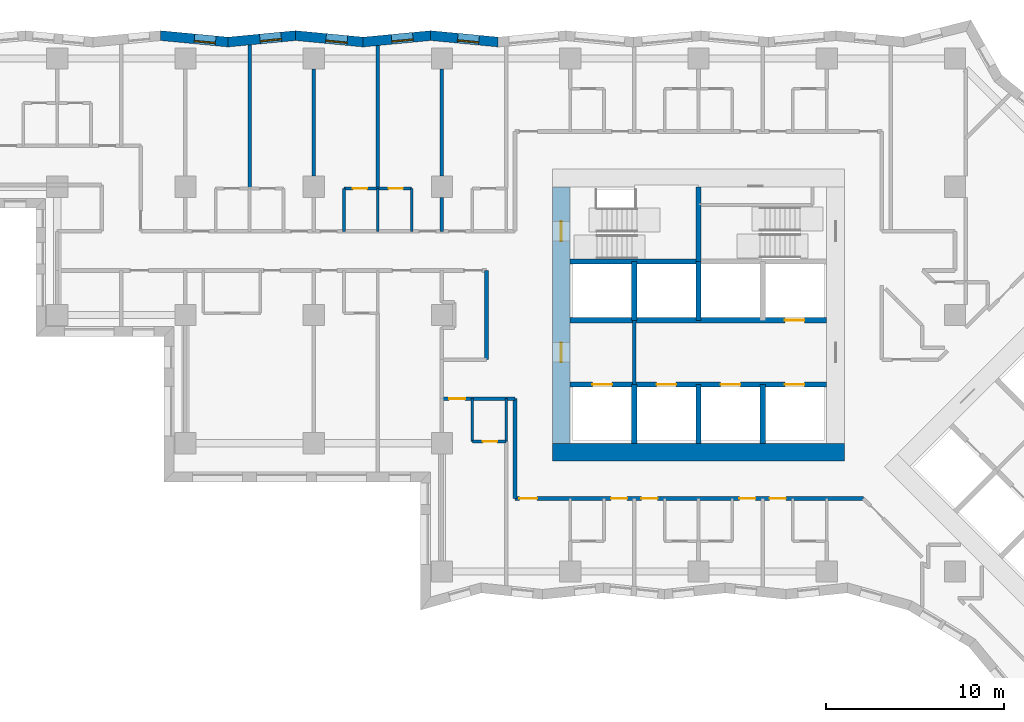
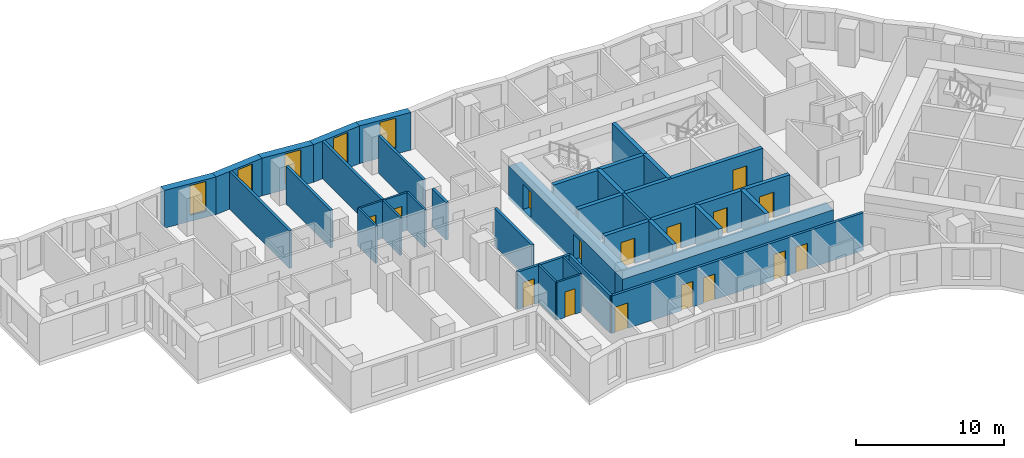
# One storey, part 5 of 13: 33 walls, 16 doors, 5 windows, 21 openings.
"""IFC4 building model written with IfcOpenShell, lengths in metres."""

from ifc_helpers import new_model, si_unit, direction, frame, frame_2d, origin, place, context, subcontext, project, spatial, polyline, rectangle, outline, extrude, material, layer, layer_set, type_object, element, fill, save


model = new_model("IFC4")

# Units and contexts
model_context = context("Model", 3, precision=1e-05, world=origin(), true_north=direction((0.0, 1.0)))
body_context = subcontext(model_context, "Body", "Model", "MODEL_VIEW")
ifc_project = project(units=[si_unit("LENGTHUNIT", "METRE"), si_unit("AREAUNIT", "SQUARE_METRE"), si_unit("VOLUMEUNIT", "CUBIC_METRE"), si_unit("PLANEANGLEUNIT", "RADIAN"), si_unit("MASSUNIT", "GRAM", prefix="KILO")], contexts=[model_context])

# Site, building, storey
site_placement = place(None, origin())
site = spatial("IfcSite", under=ifc_project, at=site_placement, CompositionType="ELEMENT")
building_placement = place(site_placement, origin())
building = spatial("IfcBuilding", under=site, at=building_placement, Name="Windrow Commons", CompositionType="ELEMENT")
storey_placement = place(building_placement, frame((0.0, 0.0, 33.8)))
storey = spatial("IfcBuildingStorey", under=building, at=storey_placement, Name="L08", CompositionType="ELEMENT", Elevation=33.8)

# Wall, opening, window
ifc_material_1 = material(Name="Brick masonry, red clay brick", Category="masonry")
ifc_layer_1 = layer(ifc_material_1, 0.55)
ifc_layer_set_1 = layer_set([ifc_layer_1], Name="Brick facade wall 550")
wall_type_1 = type_object("IfcWallType", Name="Brick facade wall 550", PredefinedType="SOLIDWALL", material=ifc_layer_set_1)
wall_1_placement = place(storey_placement, frame((53.5581, 72.9238, 0.0), z_axis=(0.0, 0.0, 1.0), x_axis=(-0.9954966527, 0.0947967005, 0.0)))
wall_1 = element("IfcWall", 1, at=wall_1_placement, inside=storey, type_object=wall_type_1, Name="Brick facade wall L08 30", PredefinedType="SOLIDWALL", context=body_context, shape_type="SweptSolid", body=[
    extrude(outline(polyline([(0.0262, -0.275), (3.8343, -0.275), (3.782, 0.275), (-0.0262, 0.275), (0.0262, -0.275)])), origin(), (0.0, 0.0, 1.0), 3.1),
])
opening_1_placement = place(wall_1_placement, frame((1.0862, 0.0, 0.5)))
opening_1 = element("IfcOpeningElement", 2, at=opening_1_placement, cuts=wall_1, Name="Opening W7D", PredefinedType="OPENING", context=body_context, shape_type="SweptSolid", body=[
    extrude(rectangle(XDim=1.2, YDim=2.45, at=frame_2d((0.6, 1.225))), frame((0.0, 0.285, 0.0), z_axis=(0.0, -1.0, 0.0), x_axis=(1.0, 0.0, 0.0)), (0.0, 0.0, 1.0), 0.57),
])
ifc_material_2 = material(Name="Clear float glass in anodised aluminium frame", Category="aluminium")
window_type = type_object("IfcWindowType", Name="Window W7 notch 1200x2450", PartitioningType="SINGLE_PANEL", PredefinedType="WINDOW", material=ifc_material_2)
window_1_placement = place(opening_1_placement, origin())
window_1 = element("IfcWindow", 3, at=window_1_placement, inside=storey, type_object=window_type, Name="Window L08 30.1", OverallHeight=2.45, OverallWidth=1.2, PartitioningType="SINGLE_PANEL", PredefinedType="WINDOW", context=body_context, shape_type="SweptSolid", body=[
    extrude(rectangle(XDim=1.2, YDim=2.45, at=frame_2d((0.6, 1.225))), frame((0.0, 0.155, 0.0), z_axis=(0.0, -1.0, 0.0), x_axis=(1.0, 0.0, 0.0)), (0.0, 0.0, 1.0), 0.06),
])
fill(opening_1, window_1)

wall_2_placement = place(storey_placement, frame((49.7671, 73.2848, 0.0), z_axis=(0.0, 0.0, 1.0), x_axis=(-0.9954966527, -0.0947967005, 0.0)))
wall_2 = element("IfcWall", 4, at=wall_2_placement, inside=storey, type_object=wall_type_1, Name="Brick facade wall L08 31", PredefinedType="SOLIDWALL", context=body_context, shape_type="SweptSolid", body=[
    extrude(outline(polyline([(-0.0262, -0.275), (3.782, -0.275), (3.8343, 0.275), (0.0262, 0.275), (-0.0262, -0.275)])), origin(), (0.0, 0.0, 1.0), 3.1),
])
opening_2_placement = place(wall_2_placement, frame((1.0033, 0.0, 0.5)))
opening_2 = element("IfcOpeningElement", 5, at=opening_2_placement, cuts=wall_2, Name="Opening W7D", PredefinedType="OPENING", context=body_context, shape_type="SweptSolid", body=[
    extrude(rectangle(XDim=1.2, YDim=2.45, at=frame_2d((0.6, 1.225))), frame((0.0, 0.285, 0.0), z_axis=(0.0, -1.0, 0.0), x_axis=(1.0, 0.0, 0.0)), (0.0, 0.0, 1.0), 0.57),
])
window_2_placement = place(opening_2_placement, origin())
window_2 = element("IfcWindow", 6, at=window_2_placement, inside=storey, type_object=window_type, Name="Window L08 31.1", OverallHeight=2.45, OverallWidth=1.2, PartitioningType="SINGLE_PANEL", PredefinedType="WINDOW", context=body_context, shape_type="SweptSolid", body=[
    extrude(rectangle(XDim=1.2, YDim=2.45, at=frame_2d((0.6, 1.225))), frame((0.0, 0.155, 0.0), z_axis=(0.0, -1.0, 0.0), x_axis=(1.0, 0.0, 0.0)), (0.0, 0.0, 1.0), 0.06),
])
fill(opening_2, window_2)

wall_3_placement = place(storey_placement, frame((45.9761, 72.9238, 0.0), z_axis=(0.0, 0.0, 1.0), x_axis=(-0.9954966527, 0.0947967005, 0.0)))
wall_3 = element("IfcWall", 7, at=wall_3_placement, inside=storey, type_object=wall_type_1, Name="Brick facade wall L08 32", PredefinedType="SOLIDWALL", context=body_context, shape_type="SweptSolid", body=[
    extrude(outline(polyline([(0.0262, -0.275), (3.8343, -0.275), (3.782, 0.275), (-0.0262, 0.275), (0.0262, -0.275)])), origin(), (0.0, 0.0, 1.0), 3.1),
])
opening_3_placement = place(wall_3_placement, frame((0.8943, 0.0, 0.5)))
opening_3 = element("IfcOpeningElement", 8, at=opening_3_placement, cuts=wall_3, Name="Opening W7D", PredefinedType="OPENING", context=body_context, shape_type="SweptSolid", body=[
    extrude(rectangle(XDim=1.2, YDim=2.45, at=frame_2d((0.6, 1.225))), frame((0.0, 0.285, 0.0), z_axis=(0.0, -1.0, 0.0), x_axis=(1.0, 0.0, 0.0)), (0.0, 0.0, 1.0), 0.57),
])
window_3_placement = place(opening_3_placement, origin())
window_3 = element("IfcWindow", 9, at=window_3_placement, inside=storey, type_object=window_type, Name="Window L08 32.1", OverallHeight=2.45, OverallWidth=1.2, PartitioningType="SINGLE_PANEL", PredefinedType="WINDOW", context=body_context, shape_type="SweptSolid", body=[
    extrude(rectangle(XDim=1.2, YDim=2.45, at=frame_2d((0.6, 1.225))), frame((0.0, 0.155, 0.0), z_axis=(0.0, -1.0, 0.0), x_axis=(1.0, 0.0, 0.0)), (0.0, 0.0, 1.0), 0.06),
])
fill(opening_3, window_3)

wall_4_placement = place(storey_placement, frame((42.1851, 73.2848, 0.0), z_axis=(0.0, 0.0, 1.0), x_axis=(-0.9954968887, -0.0947942225, 0.0)))
wall_4 = element("IfcWall", 10, at=wall_4_placement, inside=storey, type_object=wall_type_1, Name="Brick facade wall L08 33", PredefinedType="SOLIDWALL", context=body_context, shape_type="SweptSolid", body=[
    extrude(outline(polyline([(-0.0262, -0.275), (3.782, -0.275), (3.8343, 0.275), (0.0262, 0.275), (-0.0262, -0.275)])), origin(), (0.0, 0.0, 1.0), 3.1),
])
opening_4_placement = place(wall_4_placement, frame((0.8115, 0.0, 0.5)))
opening_4 = element("IfcOpeningElement", 11, at=opening_4_placement, cuts=wall_4, Name="Opening W7D", PredefinedType="OPENING", context=body_context, shape_type="SweptSolid", body=[
    extrude(rectangle(XDim=1.2, YDim=2.45, at=frame_2d((0.6, 1.225))), frame((0.0, 0.285, 0.0), z_axis=(0.0, -1.0, 0.0), x_axis=(1.0, 0.0, 0.0)), (0.0, 0.0, 1.0), 0.57),
])
window_4_placement = place(opening_4_placement, origin())
window_4 = element("IfcWindow", 12, at=window_4_placement, inside=storey, type_object=window_type, Name="Window L08 33.1", OverallHeight=2.45, OverallWidth=1.2, PartitioningType="SINGLE_PANEL", PredefinedType="WINDOW", context=body_context, shape_type="SweptSolid", body=[
    extrude(rectangle(XDim=1.2, YDim=2.45, at=frame_2d((0.6, 1.225))), frame((0.0, 0.155, 0.0), z_axis=(0.0, -1.0, 0.0), x_axis=(1.0, 0.0, 0.0)), (0.0, 0.0, 1.0), 0.06),
])
fill(opening_4, window_4)

wall_5_placement = place(storey_placement, frame((38.394, 72.9238, 0.0), z_axis=(0.0, 0.0, 1.0), x_axis=(-0.9954966527, 0.0947967005, 0.0)))
wall_5 = element("IfcWall", 13, at=wall_5_placement, inside=storey, type_object=wall_type_1, Name="Brick facade wall L08 34", PredefinedType="SOLIDWALL", context=body_context, shape_type="SweptSolid", body=[
    extrude(outline(polyline([(0.0262, -0.275), (3.8343, -0.275), (3.782, 0.275), (-0.0262, 0.275), (0.0262, -0.275)])), origin(), (0.0, 0.0, 1.0), 3.1),
])
opening_5_placement = place(wall_5_placement, frame((0.7024, 0.0, 0.5)))
opening_5 = element("IfcOpeningElement", 14, at=opening_5_placement, cuts=wall_5, Name="Opening W7D", PredefinedType="OPENING", context=body_context, shape_type="SweptSolid", body=[
    extrude(rectangle(XDim=1.2, YDim=2.45, at=frame_2d((0.6, 1.225))), frame((0.0, 0.285, 0.0), z_axis=(0.0, -1.0, 0.0), x_axis=(1.0, 0.0, 0.0)), (0.0, 0.0, 1.0), 0.57),
])
window_5_placement = place(opening_5_placement, origin())
window_5 = element("IfcWindow", 15, at=window_5_placement, inside=storey, type_object=window_type, Name="Window L08 34.1", OverallHeight=2.45, OverallWidth=1.2, PartitioningType="SINGLE_PANEL", PredefinedType="WINDOW", context=body_context, shape_type="SweptSolid", body=[
    extrude(rectangle(XDim=1.2, YDim=2.45, at=frame_2d((0.6, 1.225))), frame((0.0, 0.155, 0.0), z_axis=(0.0, -1.0, 0.0), x_axis=(1.0, 0.0, 0.0)), (0.0, 0.0, 1.0), 0.06),
])
fill(opening_5, window_5)

# Wall
ifc_material_3 = material(Name="Blockwork partition", Category="masonry")
ifc_layer_2 = layer(ifc_material_3, 0.2)
ifc_layer_set_2 = layer_set([ifc_layer_2], Name="Fire lobby partition 200")
wall_type_2 = type_object("IfcWallType", Name="Fire lobby partition 200", PredefinedType="PARTITIONING", material=ifc_layer_set_2)
wall_6_placement = place(storey_placement, frame((61.2, 53.7, 0.0), z_axis=(0.0, 0.0, 1.0), x_axis=(0.0, 1.0, 0.0)))
element("IfcWall", 16, at=wall_6_placement, inside=storey, type_object=wall_type_2, Name="W-core-lobby-A-L08", PredefinedType="PARTITIONING", context=body_context, shape_type="SweptSolid", body=[
    extrude(rectangle(XDim=3.6, YDim=0.2, at=frame_2d((1.8, 0.0))), origin(), (0.0, 0.0, 1.0), 3.1),
])

# Wall, openings, doors
ifc_material_4 = material(Name="Blockwork partition", Category="masonry")
ifc_layer_3 = layer(ifc_material_4, 0.2)
ifc_layer_set_3 = layer_set([ifc_layer_3], Name="IW-CORRIDOR-200")
wall_type_3 = type_object("IfcWallType", Name="IW-CORRIDOR-200", PredefinedType="PARTITIONING", material=ifc_layer_set_3)
wall_7_placement = place(storey_placement, frame((54.5, 47.3, 0.0), z_axis=(0.0, 0.0, 1.0), x_axis=(1.0, 0.0, 0.0)))
wall_7 = element("IfcWall", 17, at=wall_7_placement, inside=storey, type_object=wall_type_3, Name="W-L08-W003", PredefinedType="PARTITIONING", context=body_context, shape_type="SweptSolid", body=[
    extrude(rectangle(XDim=19.56, YDim=0.2, at=frame_2d((9.78, 0.0))), origin(), (0.0, 0.0, 1.0), 3.1),
])
opening_6_placement = place(wall_7_placement, frame((0.2434, 0.0, 0.0)))
opening_6 = element("IfcOpeningElement", 18, at=opening_6_placement, cuts=wall_7, Name="Opening D310F", PredefinedType="OPENING", context=body_context, shape_type="SweptSolid", body=[
    extrude(rectangle(XDim=1.0, YDim=2.1, at=frame_2d((0.5, 1.05))), frame((0.0, 0.11, 0.0), z_axis=(0.0, -1.0, 0.0), x_axis=(1.0, 0.0, 0.0)), (0.0, 0.0, 1.0), 0.22),
])
opening_7_placement = place(wall_7_placement, frame((5.4, 0.0, 0.0)))
opening_7 = element("IfcOpeningElement", 19, at=opening_7_placement, cuts=wall_7, Name="Opening D109S", PredefinedType="OPENING", context=body_context, shape_type="SweptSolid", body=[
    extrude(rectangle(XDim=0.9, YDim=2.1, at=frame_2d((0.45, 1.05))), frame((0.0, 0.11, 0.0), z_axis=(0.0, -1.0, 0.0), x_axis=(1.0, 0.0, 0.0)), (0.0, 0.0, 1.0), 0.22),
])
opening_8_placement = place(wall_7_placement, frame((7.1, 0.0, 0.0)))
opening_8 = element("IfcOpeningElement", 20, at=opening_8_placement, cuts=wall_7, Name="Opening D109S", PredefinedType="OPENING", context=body_context, shape_type="SweptSolid", body=[
    extrude(rectangle(XDim=0.9, YDim=2.1, at=frame_2d((0.45, 1.05))), frame((0.0, 0.11, 0.0), z_axis=(0.0, -1.0, 0.0), x_axis=(1.0, 0.0, 0.0)), (0.0, 0.0, 1.0), 0.22),
])
opening_9_placement = place(wall_7_placement, frame((12.6, 0.0, 0.0)))
opening_9 = element("IfcOpeningElement", 21, at=opening_9_placement, cuts=wall_7, Name="Opening D109S", PredefinedType="OPENING", context=body_context, shape_type="SweptSolid", body=[
    extrude(rectangle(XDim=0.9, YDim=2.1, at=frame_2d((0.45, 1.05))), frame((0.0, 0.11, 0.0), z_axis=(0.0, -1.0, 0.0), x_axis=(1.0, 0.0, 0.0)), (0.0, 0.0, 1.0), 0.22),
])
opening_10_placement = place(wall_7_placement, frame((14.3, 0.0, 0.0)))
opening_10 = element("IfcOpeningElement", 22, at=opening_10_placement, cuts=wall_7, Name="Opening D109S", PredefinedType="OPENING", context=body_context, shape_type="SweptSolid", body=[
    extrude(rectangle(XDim=0.9, YDim=2.1, at=frame_2d((0.45, 1.05))), frame((0.0, 0.11, 0.0), z_axis=(0.0, -1.0, 0.0), x_axis=(1.0, 0.0, 0.0)), (0.0, 0.0, 1.0), 0.22),
])
ifc_material_5 = material(Name="Timber door leaf", Category="wood")
door_type_1 = type_object("IfcDoorType", Name="DT-AMENITY-1000", OperationType="SINGLE_SWING_LEFT", PredefinedType="DOOR", material=ifc_material_5)
door_1_placement = place(opening_6_placement, origin())
door_1 = element("IfcDoor", 23, at=door_1_placement, inside=storey, type_object=door_type_1, Name="D-L08-D030", OperationType="SINGLE_SWING_RIGHT", OverallHeight=2.1, OverallWidth=1.0, PredefinedType="DOOR", context=body_context, shape_type="SweptSolid", body=[
    extrude(rectangle(XDim=1.0, YDim=2.1, at=frame_2d((0.5, 1.05))), frame((0.0, 0.025, 0.0), z_axis=(0.0, -1.0, 0.0), x_axis=(1.0, 0.0, 0.0)), (0.0, 0.0, 1.0), 0.05),
])
fill(opening_6, door_1)
ifc_material_6 = material(Name="Timber door leaf", Category="wood")
door_type_2 = type_object("IfcDoorType", Name="DT-BEDROOM-900", OperationType="SINGLE_SWING_LEFT", PredefinedType="DOOR", material=ifc_material_6)
door_2_placement = place(opening_7_placement, origin())
door_2 = element("IfcDoor", 24, at=door_2_placement, inside=storey, type_object=door_type_2, Name="D-L08-D039", OperationType="SINGLE_SWING_LEFT", OverallHeight=2.1, OverallWidth=0.9, PredefinedType="DOOR", context=body_context, shape_type="SweptSolid", body=[
    extrude(rectangle(XDim=0.9, YDim=2.1, at=frame_2d((0.45, 1.05))), frame((0.0, 0.025, 0.0), z_axis=(0.0, -1.0, 0.0), x_axis=(1.0, 0.0, 0.0)), (0.0, 0.0, 1.0), 0.05),
])
fill(opening_7, door_2)
door_3_placement = place(opening_8_placement, origin())
door_3 = element("IfcDoor", 25, at=door_3_placement, inside=storey, type_object=door_type_2, Name="D-L08-D041", OperationType="SINGLE_SWING_RIGHT", OverallHeight=2.1, OverallWidth=0.9, PredefinedType="DOOR", context=body_context, shape_type="SweptSolid", body=[
    extrude(rectangle(XDim=0.9, YDim=2.1, at=frame_2d((0.45, 1.05))), frame((0.0, 0.025, 0.0), z_axis=(0.0, -1.0, 0.0), x_axis=(1.0, 0.0, 0.0)), (0.0, 0.0, 1.0), 0.05),
])
fill(opening_8, door_3)
door_4_placement = place(opening_9_placement, origin())
door_4 = element("IfcDoor", 26, at=door_4_placement, inside=storey, type_object=door_type_2, Name="D-L08-D043", OperationType="SINGLE_SWING_LEFT", OverallHeight=2.1, OverallWidth=0.9, PredefinedType="DOOR", context=body_context, shape_type="SweptSolid", body=[
    extrude(rectangle(XDim=0.9, YDim=2.1, at=frame_2d((0.45, 1.05))), frame((0.0, 0.025, 0.0), z_axis=(0.0, -1.0, 0.0), x_axis=(1.0, 0.0, 0.0)), (0.0, 0.0, 1.0), 0.05),
])
fill(opening_9, door_4)
door_5_placement = place(opening_10_placement, origin())
door_5 = element("IfcDoor", 27, at=door_5_placement, inside=storey, type_object=door_type_2, Name="D-L08-D045", OperationType="SINGLE_SWING_RIGHT", OverallHeight=2.1, OverallWidth=0.9, PredefinedType="DOOR", context=body_context, shape_type="SweptSolid", body=[
    extrude(rectangle(XDim=0.9, YDim=2.1, at=frame_2d((0.45, 1.05))), frame((0.0, 0.025, 0.0), z_axis=(0.0, -1.0, 0.0), x_axis=(1.0, 0.0, 0.0)), (0.0, 0.0, 1.0), 0.05),
])
fill(opening_10, door_5)

# Walls
wall_8_placement = place(storey_placement, frame((54.5, 47.3, 0.0), z_axis=(0.0, 0.0, 1.0), x_axis=(0.0, 1.0, 0.0)))
element("IfcWall", 28, at=wall_8_placement, inside=storey, type_object=wall_type_3, Name="W-L08-W038", PredefinedType="PARTITIONING", context=body_context, shape_type="SweptSolid", body=[
    extrude(rectangle(XDim=5.6, YDim=0.2, at=frame_2d((2.8, 0.0))), origin(), (0.0, 0.0, 1.0), 3.1),
])
wall_9_placement = place(storey_placement, frame((52.9, 55.102, 0.0), z_axis=(0.0, 0.0, 1.0), x_axis=(0.0, 1.0, 0.0)))
element("IfcWall", 29, at=wall_9_placement, inside=storey, type_object=wall_type_3, Name="W-L08-W048", PredefinedType="PARTITIONING", context=body_context, shape_type="SweptSolid", body=[
    extrude(rectangle(XDim=4.998, YDim=0.2, at=frame_2d((2.499, 0.0))), origin(), (0.0, 0.0, 1.0), 3.1),
])

# Wall, opening, door
wall_10_placement = place(storey_placement, frame((50.4, 52.9, 0.0), z_axis=(0.0, 0.0, 1.0), x_axis=(1.0, 0.0, 0.0)))
wall_10 = element("IfcWall", 30, at=wall_10_placement, inside=storey, type_object=wall_type_3, Name="W-L08-W057", PredefinedType="PARTITIONING", context=body_context, shape_type="SweptSolid", body=[
    extrude(rectangle(XDim=4.1, YDim=0.2, at=frame_2d((2.05, 0.0))), origin(), (0.0, 0.0, 1.0), 3.1),
])
opening_11_placement = place(wall_10_placement, frame((0.4, 0.0, 0.0)))
opening_11 = element("IfcOpeningElement", 31, at=opening_11_placement, cuts=wall_10, Name="Opening D109S", PredefinedType="OPENING", context=body_context, shape_type="SweptSolid", body=[
    extrude(rectangle(XDim=0.9, YDim=2.1, at=frame_2d((0.45, 1.05))), frame((0.0, 0.11, 0.0), z_axis=(0.0, -1.0, 0.0), x_axis=(1.0, 0.0, 0.0)), (0.0, 0.0, 1.0), 0.22),
])
door_6_placement = place(opening_11_placement, origin())
door_6 = element("IfcDoor", 32, at=door_6_placement, inside=storey, type_object=door_type_2, Name="D-L08-D028", OperationType="SINGLE_SWING_LEFT", OverallHeight=2.1, OverallWidth=0.9, PredefinedType="DOOR", context=body_context, shape_type="SweptSolid", body=[
    extrude(rectangle(XDim=0.9, YDim=2.1, at=frame_2d((0.45, 1.05))), frame((0.0, 0.025, 0.0), z_axis=(0.0, -1.0, 0.0), x_axis=(1.0, 0.0, 0.0)), (0.0, 0.0, 1.0), 0.05),
])
fill(opening_11, door_6)

# Wall, openings, doors
ifc_material_7 = material(Name="Blockwork partition", Category="masonry")
ifc_layer_4 = layer(ifc_material_7, 0.15)
ifc_layer_set_4 = layer_set([ifc_layer_4], Name="IW-ENSUITE-150")
wall_type_4 = type_object("IfcWallType", Name="IW-ENSUITE-150", PredefinedType="PARTITIONING", material=ifc_layer_set_4)
wall_11_placement = place(storey_placement, frame((44.9, 64.7, 0.0), z_axis=(0.0, 0.0, 1.0), x_axis=(1.0, 0.0, 0.0)))
wall_11 = element("IfcWall", 33, at=wall_11_placement, inside=storey, type_object=wall_type_4, Name="W-L08-W060", PredefinedType="PARTITIONING", context=body_context, shape_type="SweptSolid", body=[
    extrude(rectangle(XDim=3.8, YDim=0.15, at=frame_2d((1.9, 0.0))), origin(), (0.0, 0.0, 1.0), 3.1),
])
opening_12_placement = place(wall_11_placement, frame((0.4931, 0.0, 0.0)))
opening_12 = element("IfcOpeningElement", 34, at=opening_12_placement, cuts=wall_11, Name="Opening D208N", PredefinedType="OPENING", context=body_context, shape_type="SweptSolid", body=[
    extrude(rectangle(XDim=0.8, YDim=2.1, at=frame_2d((0.4, 1.05))), frame((0.0, 0.085, 0.0), z_axis=(0.0, -1.0, 0.0), x_axis=(1.0, 0.0, 0.0)), (0.0, 0.0, 1.0), 0.17),
])
opening_13_placement = place(wall_11_placement, frame((2.5069, 0.0, 0.0)))
opening_13 = element("IfcOpeningElement", 35, at=opening_13_placement, cuts=wall_11, Name="Opening D208N", PredefinedType="OPENING", context=body_context, shape_type="SweptSolid", body=[
    extrude(rectangle(XDim=0.8, YDim=2.1, at=frame_2d((0.4, 1.05))), frame((0.0, 0.085, 0.0), z_axis=(0.0, -1.0, 0.0), x_axis=(1.0, 0.0, 0.0)), (0.0, 0.0, 1.0), 0.17),
])
ifc_material_8 = material(Name="Timber door leaf", Category="wood")
door_type_3 = type_object("IfcDoorType", Name="DT-ENSUITE-800", OperationType="SINGLE_SWING_LEFT", PredefinedType="DOOR", material=ifc_material_8)
door_7_placement = place(opening_12_placement, origin())
door_7 = element("IfcDoor", 36, at=door_7_placement, inside=storey, type_object=door_type_3, Name="D-L08-D019", OperationType="SINGLE_SWING_RIGHT", OverallHeight=2.1, OverallWidth=0.8, PredefinedType="DOOR", context=body_context, shape_type="SweptSolid", body=[
    extrude(rectangle(XDim=0.8, YDim=2.1, at=frame_2d((0.4, 1.05))), frame((0.0, 0.025, 0.0), z_axis=(0.0, -1.0, 0.0), x_axis=(1.0, 0.0, 0.0)), (0.0, 0.0, 1.0), 0.05),
])
fill(opening_12, door_7)
door_8_placement = place(opening_13_placement, origin())
door_8 = element("IfcDoor", 37, at=door_8_placement, inside=storey, type_object=door_type_3, Name="D-L08-D021", OperationType="SINGLE_SWING_RIGHT", OverallHeight=2.1, OverallWidth=0.8, PredefinedType="DOOR", context=body_context, shape_type="SweptSolid", body=[
    extrude(rectangle(XDim=0.8, YDim=2.1, at=frame_2d((0.4, 1.05))), frame((0.0, 0.025, 0.0), z_axis=(0.0, -1.0, 0.0), x_axis=(1.0, 0.0, 0.0)), (0.0, 0.0, 1.0), 0.05),
])
fill(opening_13, door_8)

# Walls
for number, where, z_axis, x_axis, name in (
    (38, (44.9, 62.3, 0.0), (0.0, 0.0, 1.0), (0.0, 1.0, 0.0), "W-L08-W090"),
    (39, (46.8, 62.3, 0.0), (0.0, 0.0, 1.0), (0.0, 1.0, 0.0), "W-L08-W091"),
    (40, (48.7, 62.3, 0.0), (0.0, 0.0, 1.0), (0.0, 1.0, 0.0), "W-L08-W092"),
    (41, (52.1, 50.5, 0.0), (0.0, 0.0, 1.0), (0.0, 1.0, 0.0), "W-L08-W099"),
    (42, (54.0, 50.5, 0.0), (0.0, 0.0, 1.0), (0.0, 1.0, 0.0), "W-L08-W100"),
):
    element("IfcWall", number, at=place(storey_placement, frame(where, z_axis=z_axis, x_axis=x_axis)), inside=storey, type_object=wall_type_4, Name=name, PredefinedType="PARTITIONING", context=body_context, shape_type="SweptSolid", body=[
        extrude(rectangle(XDim=2.4, YDim=0.15, at=frame_2d((1.2, 0.0))), origin(), (0.0, 0.0, 1.0), 3.1),
    ])

# Wall, opening, door
wall_12_placement = place(storey_placement, frame((52.1, 50.5, 0.0), z_axis=(0.0, 0.0, 1.0), x_axis=(1.0, 0.0, 0.0)))
wall_12 = element("IfcWall", 43, at=wall_12_placement, inside=storey, type_object=wall_type_4, Name="W-L08-W152", PredefinedType="PARTITIONING", context=body_context, shape_type="SweptSolid", body=[
    extrude(rectangle(XDim=1.9, YDim=0.15, at=frame_2d((0.95, 0.0))), origin(), (0.0, 0.0, 1.0), 3.1),
])
opening_14_placement = place(wall_12_placement, frame((0.5979, 0.0, 0.0)))
opening_14 = element("IfcOpeningElement", 44, at=opening_14_placement, cuts=wall_12, Name="Opening D208N", PredefinedType="OPENING", context=body_context, shape_type="SweptSolid", body=[
    extrude(rectangle(XDim=0.8, YDim=2.1, at=frame_2d((0.4, 1.05))), frame((0.0, 0.085, 0.0), z_axis=(0.0, -1.0, 0.0), x_axis=(1.0, 0.0, 0.0)), (0.0, 0.0, 1.0), 0.17),
])
door_9_placement = place(opening_14_placement, origin())
door_9 = element("IfcDoor", 45, at=door_9_placement, inside=storey, type_object=door_type_3, Name="D-L08-D029", OperationType="SINGLE_SWING_RIGHT", OverallHeight=2.1, OverallWidth=0.8, PredefinedType="DOOR", context=body_context, shape_type="SweptSolid", body=[
    extrude(rectangle(XDim=0.8, YDim=2.1, at=frame_2d((0.4, 1.05))), frame((0.0, 0.025, 0.0), z_axis=(0.0, -1.0, 0.0), x_axis=(1.0, 0.0, 0.0)), (0.0, 0.0, 1.0), 0.05),
])
fill(opening_14, door_9)

# Walls
ifc_material_9 = material(Name="Blockwork partition", Category="masonry")
ifc_layer_5 = layer(ifc_material_9, 0.2)
ifc_layer_set_5 = layer_set([ifc_layer_5], Name="IW-PARTY-200")
wall_type_5 = type_object("IfcWallType", Name="IW-PARTY-200", PredefinedType="PARTITIONING", material=ifc_layer_set_5)
wall_13_placement = place(storey_placement, frame((39.6, 64.7, 0.0), z_axis=(0.0, 0.0, 1.0), x_axis=(0.0, 1.0, 0.0)))
element("IfcWall", 46, at=wall_13_placement, inside=storey, type_object=wall_type_5, Name="W-L08-W016", PredefinedType="PARTITIONING", context=body_context, shape_type="SweptSolid", body=[
    extrude(rectangle(XDim=8.0623, YDim=0.2, at=frame_2d((4.0312, 0.0))), origin(), (0.0, 0.0, 1.0), 3.1),
])
wall_14_placement = place(storey_placement, frame((46.8, 64.7, 0.0), z_axis=(0.0, 0.0, 1.0), x_axis=(0.0, 1.0, 0.0)))
element("IfcWall", 47, at=wall_14_placement, inside=storey, type_object=wall_type_5, Name="W-L08-W018", PredefinedType="PARTITIONING", context=body_context, shape_type="SweptSolid", body=[
    extrude(rectangle(XDim=8.026, YDim=0.2, at=frame_2d((4.013, 0.0))), origin(), (0.0, 0.0, 1.0), 3.1),
])
for number, where, z_axis, x_axis, name in (
    (48, (43.2, 65.4, 0.0), (0.0, 0.0, 1.0), (0.0, 1.0, 0.0), "W-L08-W032"),
    (49, (50.4, 65.4, 0.0), (0.0, 0.0, 1.0), (0.0, 1.0, 0.0), "W-L08-W034"),
):
    element("IfcWall", number, at=place(storey_placement, frame(where, z_axis=z_axis, x_axis=x_axis)), inside=storey, type_object=wall_type_5, Name=name, PredefinedType="PARTITIONING", context=body_context, shape_type="SweptSolid", body=[
        extrude(rectangle(XDim=6.0, YDim=0.2, at=frame_2d((3.0, 0.0))), origin(), (0.0, 0.0, 1.0), 3.1),
    ])
wall_15_placement = place(storey_placement, frame((50.4, 62.3, 0.0), z_axis=(0.0, 0.0, 1.0), x_axis=(0.0, 1.0, 0.0)))
element("IfcWall", 50, at=wall_15_placement, inside=storey, type_object=wall_type_5, Name="W-L08-W142", PredefinedType="PARTITIONING", context=body_context, shape_type="SweptSolid", body=[
    extrude(rectangle(XDim=1.9, YDim=0.2, at=frame_2d((0.95, 0.0))), origin(), (0.0, 0.0, 1.0), 3.1),
])
ifc_material_10 = material(Name="Concrete C60/75", Category="concrete")
ifc_layer_6 = layer(ifc_material_10, 1.0)
ifc_layer_set_6 = layer_set([ifc_layer_6], Name="RC CORE WALL 1000 C60/75")
wall_type_6 = type_object("IfcWallType", Name="RC CORE WALL 1000 C60/75", PredefinedType="SHEAR", material=ifc_layer_set_6)
wall_16_placement = place(storey_placement, frame((56.6, 49.9, -0.3), z_axis=(0.0, 0.0, 1.0), x_axis=(1.0, 0.0, 0.0)))
element("IfcWall", 51, at=wall_16_placement, inside=storey, type_object=wall_type_6, Name="Core A wall outer-S", PredefinedType="SHEAR", context=body_context, shape_type="SweptSolid", body=[
    extrude(rectangle(XDim=16.4, YDim=1.0, at=frame_2d((8.2, 0.0))), origin(), (0.0, 0.0, 1.0), 2.7),
])

# Wall, openings, doors
wall_17_placement = place(storey_placement, frame((57.1, 50.4, -0.3), z_axis=(0.0, 0.0, 1.0), x_axis=(0.0, 1.0, 0.0)))
wall_17 = element("IfcWall", 52, at=wall_17_placement, inside=storey, type_object=wall_type_6, Name="Core A wall outer-W", PredefinedType="SHEAR", context=body_context, shape_type="SweptSolid", body=[
    extrude(rectangle(XDim=14.4, YDim=1.0, at=frame_2d((7.2, 0.0))), origin(), (0.0, 0.0, 1.0), 2.7),
])
opening_15_placement = place(wall_17_placement, frame((4.55, 0.0, 0.3)))
opening_15 = element("IfcOpeningElement", 53, at=opening_15_placement, cuts=wall_17, Name="Opening D6", PredefinedType="OPENING", context=body_context, shape_type="SweptSolid", body=[
    extrude(rectangle(XDim=1.1, YDim=2.1, at=frame_2d((0.55, 1.05))), frame((0.0, 0.51, 0.0), z_axis=(0.0, -1.0, 0.0), x_axis=(1.0, 0.0, 0.0)), (0.0, 0.0, 1.0), 1.02),
])
opening_16_placement = place(wall_17_placement, frame((11.35, 0.0, 0.3)))
opening_16 = element("IfcOpeningElement", 54, at=opening_16_placement, cuts=wall_17, Name="Opening D7", PredefinedType="OPENING", context=body_context, shape_type="SweptSolid", body=[
    extrude(rectangle(XDim=1.1, YDim=2.1, at=frame_2d((0.55, 1.05))), frame((0.0, 0.51, 0.0), z_axis=(0.0, -1.0, 0.0), x_axis=(1.0, 0.0, 0.0)), (0.0, 0.0, 1.0), 1.02),
])
ifc_material_11 = material(Name="Steel fire door leaf", Category="steel")
door_type_4 = type_object("IfcDoorType", Name="Core lobby door 1100", OperationType="SINGLE_SWING_LEFT", PredefinedType="DOOR", material=ifc_material_11)
door_10_placement = place(opening_15_placement, origin())
door_10 = element("IfcDoor", 55, at=door_10_placement, inside=storey, type_object=door_type_4, Name="Lift lobby door", OperationType="DOUBLE_DOOR_SINGLE_SWING", OverallHeight=2.1, OverallWidth=1.1, PredefinedType="DOOR", context=body_context, shape_type="SweptSolid", body=[
    extrude(rectangle(XDim=1.1, YDim=2.1, at=frame_2d((0.55, 1.05))), frame((0.0, 0.025, 0.0), z_axis=(0.0, -1.0, 0.0), x_axis=(1.0, 0.0, 0.0)), (0.0, 0.0, 1.0), 0.05),
])
fill(opening_15, door_10)
ifc_material_12 = material(Name="Steel fire door leaf", Category="steel")
door_type_5 = type_object("IfcDoorType", Name="Stair door 1100", OperationType="SINGLE_SWING_LEFT", PredefinedType="DOOR", material=ifc_material_12)
door_11_placement = place(opening_16_placement, origin())
door_11 = element("IfcDoor", 56, at=door_11_placement, inside=storey, type_object=door_type_5, Name="Stair door", OperationType="SINGLE_SWING_LEFT", OverallHeight=2.1, OverallWidth=1.1, PredefinedType="DOOR", context=body_context, shape_type="SweptSolid", body=[
    extrude(rectangle(XDim=1.1, YDim=2.1, at=frame_2d((0.55, 1.05))), frame((0.0, 0.025, 0.0), z_axis=(0.0, -1.0, 0.0), x_axis=(1.0, 0.0, 0.0)), (0.0, 0.0, 1.0), 0.05),
])
fill(opening_16, door_11)

# Walls
ifc_material_13 = material(Name="Concrete C60/75", Category="concrete")
ifc_layer_7 = layer(ifc_material_13, 0.3)
ifc_layer_set_7 = layer_set([ifc_layer_7], Name="RC SHAFT WALL 300 C60/75")
wall_type_7 = type_object("IfcWallType", Name="RC SHAFT WALL 300 C60/75", PredefinedType="SOLIDWALL", material=ifc_layer_set_7)
for number, where, z_axis, x_axis, name in (
    (57, (61.2, 50.4, 0.0), (0.0, 0.0, 1.0), (0.0, 1.0, 0.0), "Core A wall shaft-S1"),
    (58, (61.2, 57.3, 0.0), (0.0, 0.0, 1.0), (0.0, 1.0, 0.0), "Core A wall shaft-N1"),
    (59, (64.8, 50.4, 0.0), (0.0, 0.0, 1.0), (0.0, 1.0, 0.0), "Core A wall shaft-S2"),
    (60, (64.8, 57.3, 0.0), (0.0, 0.0, 1.0), (0.0, 1.0, 0.0), "Core A wall shaft-N2"),
    (61, (68.4, 50.4, 0.0), (0.0, 0.0, 1.0), (0.0, 1.0, 0.0), "Core A wall shaft-S3"),
):
    element("IfcWall", number, at=place(storey_placement, frame(where, z_axis=z_axis, x_axis=x_axis)), inside=storey, type_object=wall_type_7, Name=name, PredefinedType="SOLIDWALL", context=body_context, shape_type="SweptSolid", body=[
        extrude(rectangle(XDim=3.3, YDim=0.3, at=frame_2d((1.65, 0.0))), origin(), (0.0, 0.0, 1.0), 3.1),
    ])

# Wall, openings, doors
wall_18_placement = place(storey_placement, frame((57.6, 53.7, 0.0), z_axis=(0.0, 0.0, 1.0), x_axis=(1.0, 0.0, 0.0)))
wall_18 = element("IfcWall", 62, at=wall_18_placement, inside=storey, type_object=wall_type_7, Name="Core A wall lobby-S", PredefinedType="SOLIDWALL", context=body_context, shape_type="SweptSolid", body=[
    extrude(rectangle(XDim=14.4, YDim=0.3, at=frame_2d((7.2, 0.0))), origin(), (0.0, 0.0, 1.0), 3.1),
])
opening_17_placement = place(wall_18_placement, frame((1.25, 0.0, 0.0)))
opening_17 = element("IfcOpeningElement", 63, at=opening_17_placement, cuts=wall_18, Name="Opening LD", PredefinedType="OPENING", context=body_context, shape_type="SweptSolid", body=[
    extrude(rectangle(XDim=1.1, YDim=2.1, at=frame_2d((0.55, 1.05))), frame((0.0, 0.16, 0.0), z_axis=(0.0, -1.0, 0.0), x_axis=(1.0, 0.0, 0.0)), (0.0, 0.0, 1.0), 0.32),
])
opening_18_placement = place(wall_18_placement, frame((4.85, 0.0, 0.0)))
opening_18 = element("IfcOpeningElement", 64, at=opening_18_placement, cuts=wall_18, Name="Opening LD", PredefinedType="OPENING", context=body_context, shape_type="SweptSolid", body=[
    extrude(rectangle(XDim=1.1, YDim=2.1, at=frame_2d((0.55, 1.05))), frame((0.0, 0.16, 0.0), z_axis=(0.0, -1.0, 0.0), x_axis=(1.0, 0.0, 0.0)), (0.0, 0.0, 1.0), 0.32),
])
opening_19_placement = place(wall_18_placement, frame((8.45, 0.0, 0.0)))
opening_19 = element("IfcOpeningElement", 65, at=opening_19_placement, cuts=wall_18, Name="Opening LD", PredefinedType="OPENING", context=body_context, shape_type="SweptSolid", body=[
    extrude(rectangle(XDim=1.1, YDim=2.1, at=frame_2d((0.55, 1.05))), frame((0.0, 0.16, 0.0), z_axis=(0.0, -1.0, 0.0), x_axis=(1.0, 0.0, 0.0)), (0.0, 0.0, 1.0), 0.32),
])
opening_20_placement = place(wall_18_placement, frame((12.05, 0.0, 0.0)))
opening_20 = element("IfcOpeningElement", 66, at=opening_20_placement, cuts=wall_18, Name="Opening LD", PredefinedType="OPENING", context=body_context, shape_type="SweptSolid", body=[
    extrude(rectangle(XDim=1.1, YDim=2.1, at=frame_2d((0.55, 1.05))), frame((0.0, 0.16, 0.0), z_axis=(0.0, -1.0, 0.0), x_axis=(1.0, 0.0, 0.0)), (0.0, 0.0, 1.0), 0.32),
])
ifc_material_14 = material(Name="Stainless steel door leaf", Category="steel")
door_type_6 = type_object("IfcDoorType", Name="Lift landing door 1100", OperationType="SLIDING_TO_LEFT", PredefinedType="DOOR", material=ifc_material_14)
door_12_placement = place(opening_17_placement, origin())
door_12 = element("IfcDoor", 67, at=door_12_placement, inside=storey, type_object=door_type_6, Name="Lift landing door", OperationType="SLIDING_TO_LEFT", OverallHeight=2.1, OverallWidth=1.1, PredefinedType="DOOR", context=body_context, shape_type="SweptSolid", body=[
    extrude(rectangle(XDim=1.1, YDim=2.1, at=frame_2d((0.55, 1.05))), frame((0.0, 0.025, 0.0), z_axis=(0.0, -1.0, 0.0), x_axis=(1.0, 0.0, 0.0)), (0.0, 0.0, 1.0), 0.05),
])
fill(opening_17, door_12)
door_13_placement = place(opening_18_placement, origin())
door_13 = element("IfcDoor", 68, at=door_13_placement, inside=storey, type_object=door_type_6, Name="Lift landing door", OperationType="SLIDING_TO_RIGHT", OverallHeight=2.1, OverallWidth=1.1, PredefinedType="DOOR", context=body_context, shape_type="SweptSolid", body=[
    extrude(rectangle(XDim=1.1, YDim=2.1, at=frame_2d((0.55, 1.05))), frame((0.0, 0.025, 0.0), z_axis=(0.0, -1.0, 0.0), x_axis=(1.0, 0.0, 0.0)), (0.0, 0.0, 1.0), 0.05),
])
fill(opening_18, door_13)
door_14_placement = place(opening_19_placement, origin())
door_14 = element("IfcDoor", 69, at=door_14_placement, inside=storey, type_object=door_type_6, Name="Lift landing door", OperationType="SLIDING_TO_LEFT", OverallHeight=2.1, OverallWidth=1.1, PredefinedType="DOOR", context=body_context, shape_type="SweptSolid", body=[
    extrude(rectangle(XDim=1.1, YDim=2.1, at=frame_2d((0.55, 1.05))), frame((0.0, 0.025, 0.0), z_axis=(0.0, -1.0, 0.0), x_axis=(1.0, 0.0, 0.0)), (0.0, 0.0, 1.0), 0.05),
])
fill(opening_19, door_14)
door_15_placement = place(opening_20_placement, origin())
door_15 = element("IfcDoor", 70, at=door_15_placement, inside=storey, type_object=door_type_6, Name="Lift landing door", OperationType="SLIDING_TO_RIGHT", OverallHeight=2.1, OverallWidth=1.1, PredefinedType="DOOR", context=body_context, shape_type="SweptSolid", body=[
    extrude(rectangle(XDim=1.1, YDim=2.1, at=frame_2d((0.55, 1.05))), frame((0.0, 0.025, 0.0), z_axis=(0.0, -1.0, 0.0), x_axis=(1.0, 0.0, 0.0)), (0.0, 0.0, 1.0), 0.05),
])
fill(opening_20, door_15)

# Wall, opening, door
wall_19_placement = place(storey_placement, frame((57.6, 57.3, 0.0), z_axis=(0.0, 0.0, 1.0), x_axis=(1.0, 0.0, 0.0)))
wall_19 = element("IfcWall", 71, at=wall_19_placement, inside=storey, type_object=wall_type_7, Name="Core A wall lobby-N", PredefinedType="SOLIDWALL", context=body_context, shape_type="SweptSolid", body=[
    extrude(rectangle(XDim=14.4, YDim=0.3, at=frame_2d((7.2, 0.0))), origin(), (0.0, 0.0, 1.0), 3.1),
])
opening_21_placement = place(wall_19_placement, frame((12.05, 0.0, 0.0)))
opening_21 = element("IfcOpeningElement", 72, at=opening_21_placement, cuts=wall_19, Name="Opening LD", PredefinedType="OPENING", context=body_context, shape_type="SweptSolid", body=[
    extrude(rectangle(XDim=1.1, YDim=2.1, at=frame_2d((0.55, 1.05))), frame((0.0, 0.16, 0.0), z_axis=(0.0, -1.0, 0.0), x_axis=(1.0, 0.0, 0.0)), (0.0, 0.0, 1.0), 0.32),
])
door_16_placement = place(opening_21_placement, origin())
door_16 = element("IfcDoor", 73, at=door_16_placement, inside=storey, type_object=door_type_6, Name="Lift landing door", OperationType="SLIDING_TO_RIGHT", OverallHeight=2.1, OverallWidth=1.1, PredefinedType="DOOR", context=body_context, shape_type="SweptSolid", body=[
    extrude(rectangle(XDim=1.1, YDim=2.1, at=frame_2d((0.55, 1.05))), frame((0.0, 0.025, 0.0), z_axis=(0.0, -1.0, 0.0), x_axis=(1.0, 0.0, 0.0)), (0.0, 0.0, 1.0), 0.05),
])
fill(opening_21, door_16)

# Walls
wall_20_placement = place(storey_placement, frame((57.6, 60.6, 0.0), z_axis=(0.0, 0.0, 1.0), x_axis=(1.0, 0.0, 0.0)))
element("IfcWall", 74, at=wall_20_placement, inside=storey, type_object=wall_type_7, Name="Core A wall stair-S", PredefinedType="SOLIDWALL", context=body_context, shape_type="SweptSolid", body=[
    extrude(rectangle(XDim=7.2, YDim=0.3, at=frame_2d((3.6, 0.0))), origin(), (0.0, 0.0, 1.0), 3.1),
])
wall_21_placement = place(storey_placement, frame((64.8, 60.6, 0.0), z_axis=(0.0, 0.0, 1.0), x_axis=(0.0, 1.0, 0.0)))
element("IfcWall", 75, at=wall_21_placement, inside=storey, type_object=wall_type_7, Name="Core A wall stair-mid", PredefinedType="SOLIDWALL", context=body_context, shape_type="SweptSolid", body=[
    extrude(rectangle(XDim=4.2, YDim=0.3, at=frame_2d((2.1, 0.0))), origin(), (0.0, 0.0, 1.0), 3.1),
])

save(model, "model.ifc")
